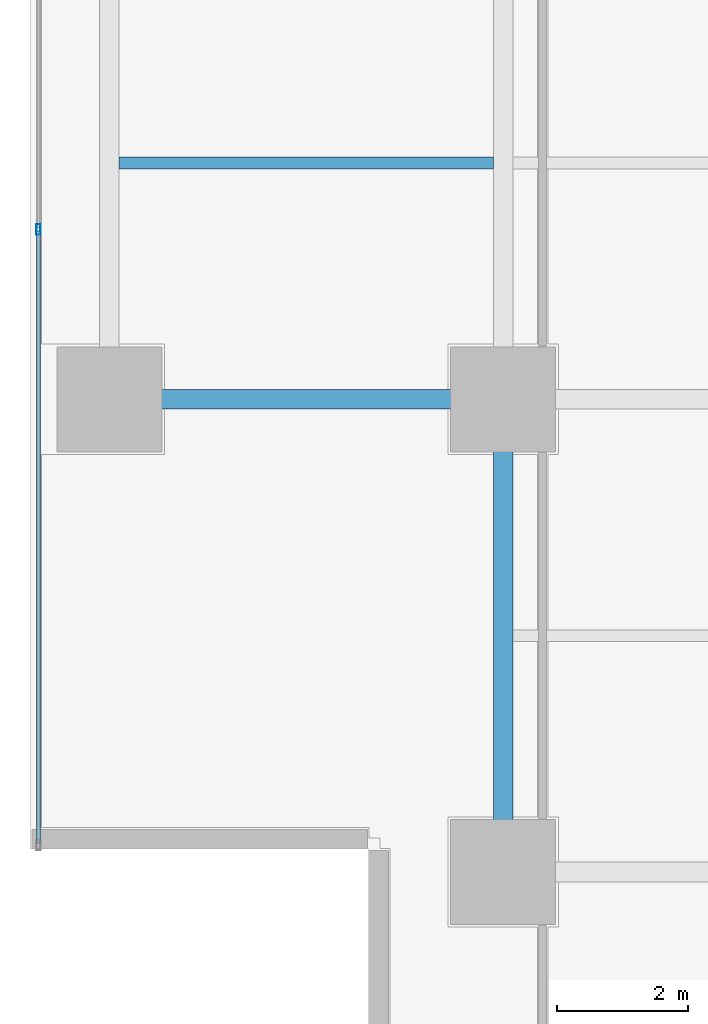
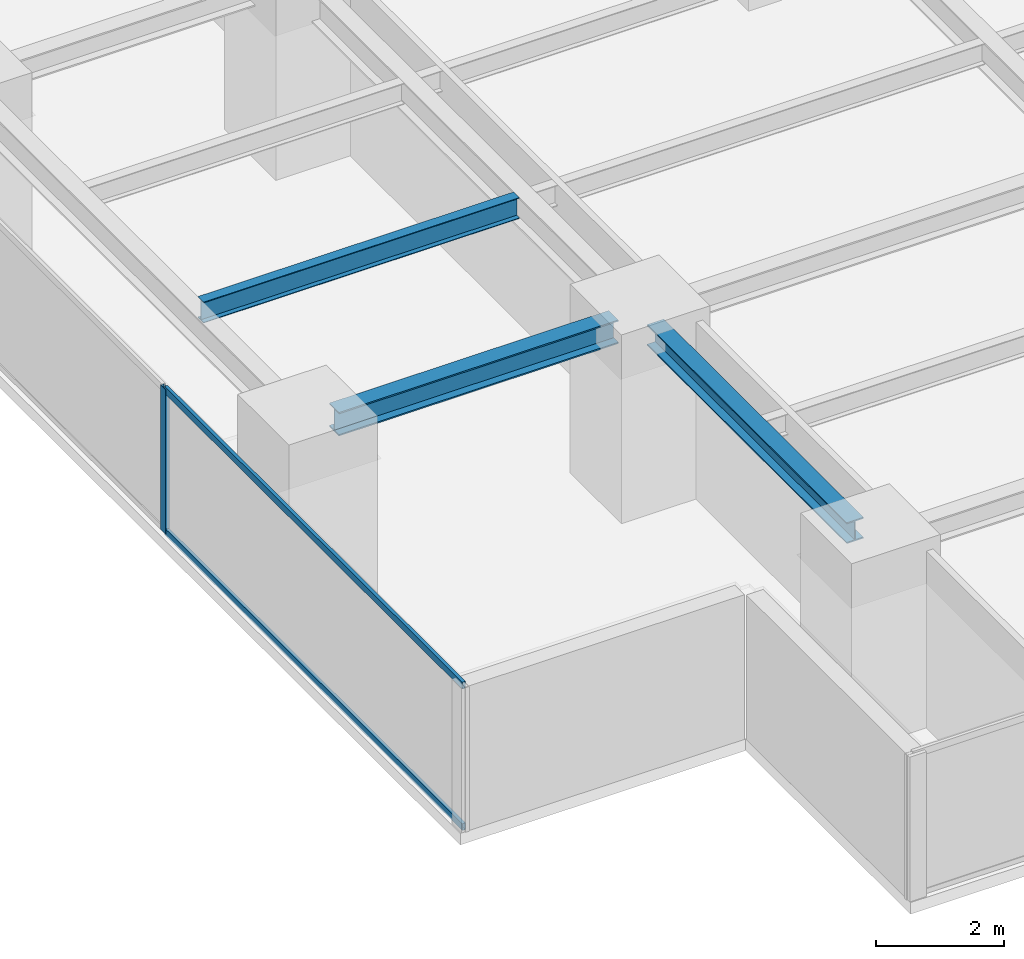
# One storey, part 3 of 27: 3 beams, 3 members, 1 element without a shape of its own.
"""IFC4 building model written with IfcOpenShell, lengths in metres."""

from ifc_helpers import new_model, si_unit, direction, frame, origin, origin_2d, place, context, subcontext, project, spatial, hollow_rectangle, i_section, extrude, source, transform, mapped, material, layer, layer_set, material_profile, profile_set, type_object, element, aggregate, save


model = new_model("IFC4")

# Units and contexts
model_context = context("Model", 3, precision=1e-05, world=origin(), true_north=direction((0.0, 1.0)))
body_context = subcontext(model_context, "Body", "Model", "MODEL_VIEW")
ifc_project = project(units=[si_unit("LENGTHUNIT", "METRE"), si_unit("AREAUNIT", "SQUARE_METRE"), si_unit("VOLUMEUNIT", "CUBIC_METRE"), si_unit("PLANEANGLEUNIT", "RADIAN"), si_unit("MASSUNIT", "GRAM", prefix="KILO")], contexts=[model_context])

# Site, building, storey
site_placement = place(None, origin())
site = spatial("IfcSite", under=ifc_project, at=site_placement, CompositionType="ELEMENT")
building_placement = place(site_placement, origin())
building = spatial("IfcBuilding", under=site, at=building_placement, Name="Sumidabori Civic Tower", CompositionType="ELEMENT")
storey_placement = place(building_placement, frame((0.0, 0.0, 142.39990234375)))
storey = spatial("IfcBuildingStorey", under=building, at=storey_placement, Name="L36", CompositionType="ELEMENT", Elevation=142.39990234375)

# Beams
ifc_material_1 = material(Name="Steel SN490", Category="steel")
ifc_material_profile_1 = material_profile(ifc_material_1, i_section(OverallWidth=0.300048828125, OverallDepth=0.39990234375, WebThickness=0.013427734375, FlangeThickness=0.02392578125, at=origin_2d()), Name="HE 400 B")
ifc_profile_set_1 = profile_set([ifc_material_profile_1], Name="Steel SN490")
beam_type_1 = type_object("IfcBeamType", Name="BM-GIRD-400", PredefinedType="BEAM", material=ifc_profile_set_1)
shared_shape_1 = source(origin(), body_context, "Body", "SweptSolid", [
    extrude(i_section(OverallWidth=0.300048828125, OverallDepth=0.39990234375, WebThickness=0.013427734375, FlangeThickness=0.02392578125, at=origin_2d()), origin(), (0.0, 0.0, 1.0), 6.239990234375),
])
beam_1_placement = place(storey_placement, frame((-16.800048828125, -17.52001953125, 3.18017578125), z_axis=(0.0, 1.0, 0.0), x_axis=(-1.0, 0.0, 0.0)))
element("IfcBeam", 1, at=beam_1_placement, inside=storey, type_object=beam_type_1, Name="Primary Girder L36 GY-22", PredefinedType="BEAM", context=body_context, shape_type="MappedRepresentation", body=[
    mapped(shared_shape_1, transform((0.0, 0.0, 0.0), x_axis=(1.0, 0.0, 0.0), y_axis=(0.0, 1.0, 0.0), z_axis=(0.0, 0.0, 1.0), scale=1.0)),
])
ifc_material_profile_2 = material_profile(ifc_material_1, i_section(OverallWidth=0.179931640625, OverallDepth=0.39990234375, WebThickness=0.008544921875, FlangeThickness=0.013427734375, at=origin_2d()), Name="IPE 400")
ifc_profile_set_2 = profile_set([ifc_material_profile_2], Name="Steel SN490")
beam_type_2 = type_object("IfcBeamType", Name="BM-JST-400", PredefinedType="JOIST", material=ifc_profile_set_2)
shared_shape_2 = source(origin(), body_context, "Body", "SweptSolid", [
    extrude(i_section(OverallWidth=0.179931640625, OverallDepth=0.39990234375, WebThickness=0.008544921875, FlangeThickness=0.013427734375, at=origin_2d()), origin(), (0.0, 0.0, 1.0), 5.699951171875),
])
beam_2_placement = place(storey_placement, frame((-22.64990234375, -7.199951171875, 3.18017578125), z_axis=(1.0, 0.0, 0.0), x_axis=(0.0, 1.0, 0.0)))
element("IfcBeam", 2, at=beam_2_placement, inside=storey, type_object=beam_type_2, Name="Outer Bay Floor Joist L36 JSTO-39", PredefinedType="JOIST", context=body_context, shape_type="MappedRepresentation", body=[
    mapped(shared_shape_2, transform((0.0, 0.0, 0.0), x_axis=(1.0, 0.0, 0.0), y_axis=(0.0, 1.0, 0.0), z_axis=(0.0, 0.0, 1.0), scale=1.0)),
])
ifc_material_profile_3 = material_profile(ifc_material_1, i_section(OverallWidth=0.300048828125, OverallDepth=0.449951171875, WebThickness=0.013916015625, FlangeThickness=0.02587890625, at=origin_2d()), Name="HE 450 B")
ifc_profile_set_3 = profile_set([ifc_material_profile_3], Name="Steel SN490")
beam_type_3 = type_object("IfcBeamType", Name="BM-GIRD-450", PredefinedType="BEAM", material=ifc_profile_set_3)
shared_shape_3 = source(origin(), body_context, "Body", "SweptSolid", [
    extrude(i_section(OverallWidth=0.300048828125, OverallDepth=0.449951171875, WebThickness=0.013916015625, FlangeThickness=0.02587890625, at=origin_2d()), origin(), (0.0, 0.0, 1.0), 5.0400390625),
])
beam_3_placement = place(storey_placement, frame((-22.320068359375, -10.800048828125, 3.155029296875), z_axis=(1.0, 0.0, 0.0), x_axis=(0.0, 1.0, 0.0)))
element("IfcBeam", 3, at=beam_3_placement, inside=storey, type_object=beam_type_3, Name="Primary Girder L36 GX-05", PredefinedType="BEAM", context=body_context, shape_type="MappedRepresentation", body=[
    mapped(shared_shape_3, transform((0.0, 0.0, 0.0), x_axis=(1.0, 0.0, 0.0), y_axis=(0.0, 1.0, 0.0), z_axis=(0.0, 0.0, 1.0), scale=1.0)),
])

# Curtain wall, members
ifc_material_2 = material(Name="Anodised Bronze Aluminium AW-6063-T6", Category="aluminium")
ifc_layer = layer(ifc_material_2, 0.179931640625, Name="Anodised Bronze Aluminium AW-6063-T6")
ifc_layer_set = layer_set([ifc_layer], Name="Anodised Bronze Aluminium AW-6063-T6")
curtain_wall_type = type_object("IfcCurtainWallType", Name="CW-SYS-3", PredefinedType="NOTDEFINED", material=ifc_layer_set)
curtain_wall_placement = place(storey_placement, origin())
curtain_wall = element("IfcCurtainWall", 4, at=curtain_wall_placement, inside=storey, type_object=curtain_wall_type, Name="Curtain Wall CW:L36:R10", PredefinedType="NOTDEFINED")
ifc_material_profile_4 = material_profile(ifc_material_2, hollow_rectangle(XDim=0.06494140625, YDim=0.159912109375, WallThickness=0.0048828125, at=origin_2d()), Name="ALU MULLION 160x65")
ifc_profile_set_4 = profile_set([ifc_material_profile_4], Name="Anodised Bronze Aluminium AW-6063-T6")
member_type_1 = type_object("IfcMemberType", Name="CW-MUL-160", PredefinedType="MULLION", material=ifc_profile_set_4)
shared_shape_4 = source(origin(), body_context, "Body", "SweptSolid", [
    extrude(hollow_rectangle(XDim=0.06494140625, YDim=0.159912109375, WallThickness=0.0048828125, at=origin_2d()), origin(), (0.0, 0.0, 1.0), 2.760009765625),
])
member_1_placement = place(storey_placement, frame((-23.8798828125, -8.2099609375, 0.0), z_axis=(0.0, 0.0, 1.0), x_axis=(1.0, 0.0, 0.0)))
member_1 = element("IfcMember", 5, at=member_1_placement, type_object=member_type_1, Name="CW-3 mullion 4", PredefinedType="MULLION", context=body_context, shape_type="MappedRepresentation", body=[
    mapped(shared_shape_4, transform((0.0, 0.0, 0.0), x_axis=(1.0, 0.0, 0.0), y_axis=(0.0, 1.0, 0.0), z_axis=(0.0, 0.0, 1.0), scale=1.0)),
])
ifc_material_profile_5 = material_profile(ifc_material_2, hollow_rectangle(XDim=0.06005859375, YDim=0.1298828125, WallThickness=0.0048828125, at=origin_2d()), Name="ALU TRANSOM 130x60")
ifc_profile_set_5 = profile_set([ifc_material_profile_5], Name="Anodised Bronze Aluminium AW-6063-T6")
member_type_2 = type_object("IfcMemberType", Name="CW-TRN-130", PredefinedType="USERDEFINED", material=ifc_profile_set_5)
shared_shape_5 = source(origin(), body_context, "Body", "SweptSolid", [
    extrude(hollow_rectangle(XDim=0.06005859375, YDim=0.1298828125, WallThickness=0.0048828125, at=origin_2d()), origin(), (0.0, 0.0, 1.0), 9.3125),
])
member_2_placement = place(storey_placement, frame((-23.8798828125, -8.242431640625, 0.030029296875), z_axis=(0.0, -1.0, 0.0), x_axis=(1.0, 0.0, 0.0)))
member_2 = element("IfcMember", 6, at=member_2_placement, type_object=member_type_2, Name="CW-3 transom 4.1", ObjectType="TRANSOM", PredefinedType="USERDEFINED", context=body_context, shape_type="MappedRepresentation", body=[
    mapped(shared_shape_5, transform((0.0, 0.0, 0.0), x_axis=(1.0, 0.0, 0.0), y_axis=(0.0, 1.0, 0.0), z_axis=(0.0, 0.0, 1.0), scale=1.0)),
])
member_3_placement = place(storey_placement, frame((-23.8798828125, -8.242431640625, 2.72998046875), z_axis=(0.0, -1.0, 0.0), x_axis=(1.0, 0.0, 0.0)))
member_3 = element("IfcMember", 7, at=member_3_placement, type_object=member_type_2, Name="CW-3 transom 4.2", ObjectType="TRANSOM", PredefinedType="USERDEFINED", context=body_context, shape_type="MappedRepresentation", body=[
    mapped(shared_shape_5, transform((0.0, 0.0, 0.0), x_axis=(1.0, 0.0, 0.0), y_axis=(0.0, 1.0, 0.0), z_axis=(0.0, 0.0, 1.0), scale=1.0)),
])
aggregate(curtain_wall, [member_1, member_2, member_3])

save(model, "model.ifc")
